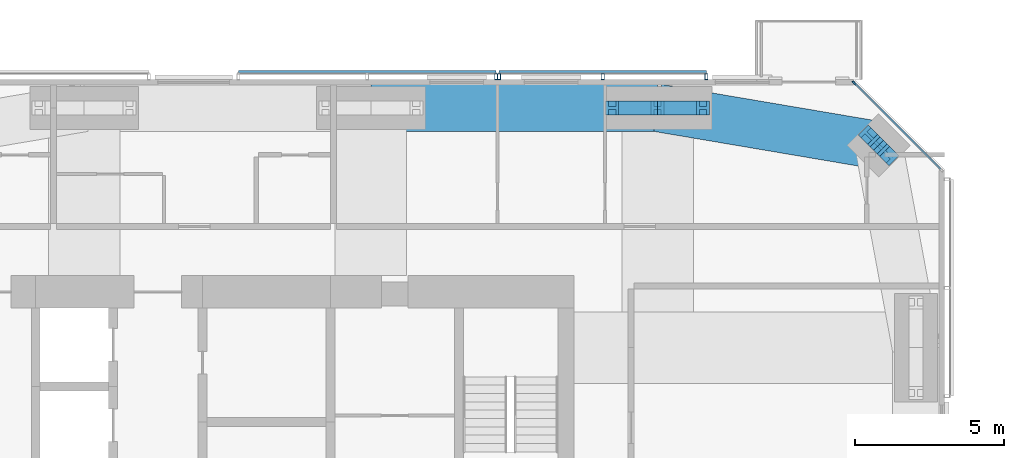
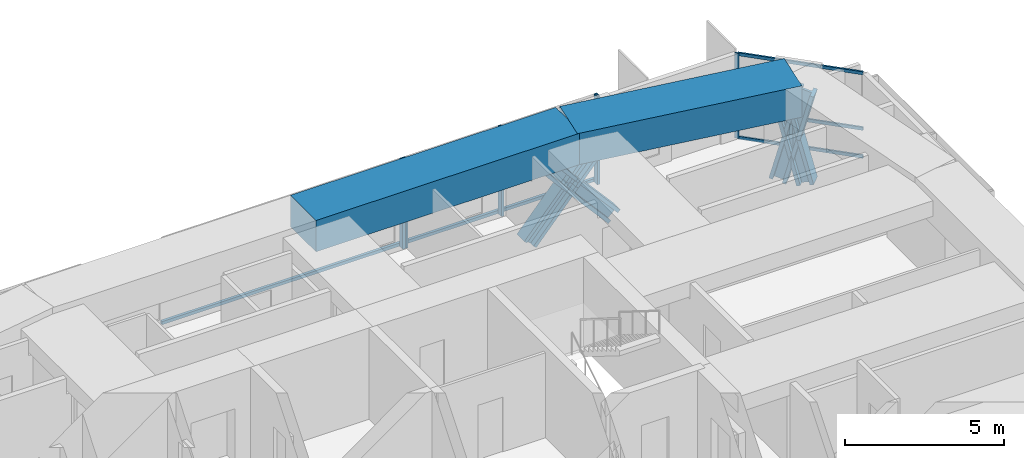
# One storey, part 10 of 18: 18 members, 2 beams, 3 elements without a shape of their own.
"""IFC4 building model written with IfcOpenShell, lengths in metres."""

from ifc_helpers import new_model, si_unit, direction, frame, origin, origin_2d, place, context, subcontext, project, spatial, rectangle, hollow_rectangle, i_section, extrude, material, material_profile, profile_set, type_object, element, aggregate, save


model = new_model("IFC4")

# Units and contexts
model_context = context("Model", 3, precision=1e-05, world=origin(), true_north=direction((0.0, 1.0)))
body_context = subcontext(model_context, "Body", "Model", "MODEL_VIEW")
ifc_project = project(units=[si_unit("LENGTHUNIT", "METRE"), si_unit("AREAUNIT", "SQUARE_METRE"), si_unit("VOLUMEUNIT", "CUBIC_METRE"), si_unit("PLANEANGLEUNIT", "RADIAN"), si_unit("MASSUNIT", "GRAM", prefix="KILO")], contexts=[model_context])

# Site, building, storey
site_placement = place(None, origin())
site = spatial("IfcSite", under=ifc_project, at=site_placement, CompositionType="ELEMENT")
building_placement = place(site_placement, origin())
building = spatial("IfcBuilding", under=site, at=building_placement, Name="Jalousie Tower", CompositionType="ELEMENT")
storey_placement = place(building_placement, frame((0.0, 0.0, 231.949951171875)))
storey = spatial("IfcBuildingStorey", under=building, at=storey_placement, Name="L63", CompositionType="ELEMENT", Elevation=231.949951171875)

# Curtain wall, members
ifc_material_1 = material(Name="Aluminium curtain wall", Category="aluminium")
curtain_wall_type_1 = type_object("IfcCurtainWallType", Name="CORNER WINDOW WALL", PredefinedType="USERDEFINED", material=ifc_material_1)
curtain_wall_1_placement = place(storey_placement, origin())
curtain_wall_1 = element("IfcCurtainWall", 1, at=curtain_wall_1_placement, inside=storey, type_object=curtain_wall_type_1, Name="Corner Window Wall L63 4", ObjectType="CORNER WINDOW WALL", PredefinedType="USERDEFINED")
ifc_material_2 = material(Name="Aluminium mullion", Category="aluminium")
ifc_material_profile_1 = material_profile(ifc_material_2, rectangle(XDim=0.06005859375, YDim=0.14990234375, at=origin_2d()), Name="MULLION 60x150")
ifc_profile_set_1 = profile_set([ifc_material_profile_1], Name="Aluminium mullion")
member_type_1 = type_object("IfcMemberType", Name="CORNER WINDOW WALL MULLION", PredefinedType="MULLION", material=ifc_profile_set_1)
member_1_placement = place(storey_placement, frame((53.469970703125, 33.891357421875, 0.0), z_axis=(0.0, 0.0, 1.0), x_axis=(-0.707106781187, -0.707106781187, 0.0)))
member_1 = element("IfcMember", 2, at=member_1_placement, type_object=member_type_1, Name="CW-C mullion 2", PredefinedType="MULLION", context=body_context, shape_type="SweptSolid", body=[
    extrude(rectangle(XDim=0.06005859375, YDim=0.14990234375, at=origin_2d()), origin(), (0.0, 0.0, 1.0), 3.260009765625),
])
ifc_material_3 = material(Name="Aluminium transom", Category="aluminium")
ifc_material_profile_2 = material_profile(ifc_material_3, rectangle(XDim=0.06005859375, YDim=0.1201171875, at=origin_2d()), Name="TRANSOM 60x120")
ifc_profile_set_2 = profile_set([ifc_material_profile_2], Name="Aluminium transom")
member_type_2 = type_object("IfcMemberType", Name="CORNER WINDOW WALL TRANSOM", PredefinedType="USERDEFINED", material=ifc_profile_set_2)
member_2_placement = place(storey_placement, frame((56.3701171875, 30.9912109375, 0.030029296875), z_axis=(-0.707106781187, 0.707106781187, 0.0), x_axis=(-0.707106781187, -0.707106781187, 0.0)))
member_2 = element("IfcMember", 3, at=member_2_placement, type_object=member_type_2, Name="CW-C transom 1.1", ObjectType="TRANSOM", PredefinedType="USERDEFINED", context=body_context, shape_type="SweptSolid", body=[
    extrude(rectangle(XDim=0.06005859375, YDim=0.1201171875, at=origin_2d()), origin(), (0.0, 0.0, 1.0), 4.0712890625),
])
member_3_placement = place(storey_placement, frame((56.3701171875, 30.9912109375, 1.10009765625), z_axis=(-0.707106781187, 0.707106781187, 0.0), x_axis=(-0.707106781187, -0.707106781187, 0.0)))
member_3 = element("IfcMember", 4, at=member_3_placement, type_object=member_type_2, Name="CW-C transom 1.2", ObjectType="TRANSOM", PredefinedType="USERDEFINED", context=body_context, shape_type="SweptSolid", body=[
    extrude(rectangle(XDim=0.06005859375, YDim=0.1201171875, at=origin_2d()), origin(), (0.0, 0.0, 1.0), 4.0712890625),
])
member_4_placement = place(storey_placement, frame((56.3701171875, 30.9912109375, 3.22998046875), z_axis=(-0.707106781187, 0.707106781187, 0.0), x_axis=(-0.707106781187, -0.707106781187, 0.0)))
member_4 = element("IfcMember", 5, at=member_4_placement, type_object=member_type_2, Name="CW-C transom 1.3", ObjectType="TRANSOM", PredefinedType="USERDEFINED", context=body_context, shape_type="SweptSolid", body=[
    extrude(rectangle(XDim=0.06005859375, YDim=0.1201171875, at=origin_2d()), origin(), (0.0, 0.0, 1.0), 4.0712890625),
])
aggregate(curtain_wall_1, [member_1, member_2, member_3, member_4])

# Members
ifc_material_4 = material(Name="Steel ASTM A992 Grade 50", Category="steel")
ifc_material_profile_3 = material_profile(ifc_material_4, i_section(OverallWidth=0.472412109375, OverallDepth=0.5791015625, WebThickness=0.094970703125, FlangeThickness=0.1298828125, at=origin_2d()), Name="W14X808")
ifc_profile_set_3 = profile_set([ifc_material_profile_3], Name="Steel ASTM A992 Grade 50")
member_type_3 = type_object("IfcMemberType", Name="PERIMETER BRACE W14X808", PredefinedType="BRACE", material=ifc_profile_set_3)
for number, where, z_axis, x_axis, name in (
    (6, (54.611083984375, 31.474609375, -0.599853515625), (-0.176051427143, 0.17618653952, 0.968485517854), (-0.707377963048, -0.706835495285, 0.0), "Perimeter brace 08 L63 part 1"),
    (7, (54.29296875, 31.79296875, 1.150146484375), (-0.17618653952, 0.176051427143, 0.968485517854), (-0.706835495285, -0.707377963048, 0.0), "Perimeter brace 08 L63 part 2"),
    (8, (53.974609375, 32.111083984375, -0.599853515625), (0.17618653952, -0.176051427143, 0.968485517854), (0.706835495285, 0.707377963048, 0.0), "Perimeter brace 08 L63 part 3"),
    (9, (54.29296875, 31.79296875, 1.150146484375), (0.176051427143, -0.17618653952, 0.968485517854), (0.707377963048, 0.706835495285, 0.0), "Perimeter brace 08 L63 part 4"),
):
    element("IfcMember", number, at=place(storey_placement, frame(where, z_axis=z_axis, x_axis=x_axis)), inside=storey, type_object=member_type_3, Name=name, PredefinedType="BRACE", context=body_context, shape_type="SweptSolid", body=[
        extrude(i_section(OverallWidth=0.472412109375, OverallDepth=0.5791015625, WebThickness=0.094970703125, FlangeThickness=0.1298828125, at=origin_2d()), origin(), (0.0, 0.0, 1.0), 1.806884765625),
    ])
for number, where, z_axis, x_axis, name in (
    (10, (45.35009765625, 33.050048828125, -0.599853515625), (0.65695436777, 0.0, 0.753930340726), (0.0, 1.0, 0.0), "Perimeter brace 09 L63 part 1"),
    (11, (46.875, 33.050048828125, 1.150146484375), (0.65695436777, 0.0, 0.753930340726), (0.0, 1.0, 0.0), "Perimeter brace 09 L63 part 2"),
    (12, (48.39990234375, 33.050048828125, -0.599853515625), (-0.65695436777, 0.0, 0.753930340726), (0.0, -1.0, 0.0), "Perimeter brace 09 L63 part 3"),
    (13, (46.875, 33.050048828125, 1.150146484375), (-0.65695436777, 0.0, 0.753930340726), (0.0, -1.0, 0.0), "Perimeter brace 09 L63 part 4"),
):
    element("IfcMember", number, at=place(storey_placement, frame(where, z_axis=z_axis, x_axis=x_axis)), inside=storey, type_object=member_type_3, Name=name, PredefinedType="BRACE", context=body_context, shape_type="SweptSolid", body=[
        extrude(i_section(OverallWidth=0.472412109375, OverallDepth=0.5791015625, WebThickness=0.094970703125, FlangeThickness=0.1298828125, at=origin_2d()), origin(), (0.0, 0.0, 1.0), 2.3212890625),
    ])

# Beams
ifc_material_5 = material(Name="Concrete f'c 40 MPa", Category="concrete")
ifc_material_profile_4 = material_profile(ifc_material_5, rectangle(XDim=1.60009765625, YDim=1.199951171875, at=origin_2d()), Name="RC 1600x1200")
ifc_profile_set_4 = profile_set([ifc_material_profile_4], Name="Concrete f'c 40 MPa")
beam_type = type_object("IfcBeamType", Name="RC BEAM 1600x1200", PredefinedType="BEAM", material=ifc_profile_set_4)
beam_1_placement = place(storey_placement, frame((54.29296875, 31.79296875, 2.900146484375), z_axis=(-0.985942997446, 0.167082033105, 0.0), x_axis=(-0.167082033105, -0.985942997446, 0.0)))
element("IfcBeam", 14, at=beam_1_placement, inside=storey, type_object=beam_type, Name="Edge band beam 08-09 under L64", PredefinedType="BEAM", context=body_context, shape_type="SweptSolid", body=[
    extrude(rectangle(XDim=1.60009765625, YDim=1.199951171875, at=origin_2d()), origin(), (0.0, 0.0, 1.0), 7.523681640625),
])
beam_2_placement = place(storey_placement, frame((46.875, 33.050048828125, 2.900146484375), z_axis=(-1.0, 0.0, 0.0), x_axis=(0.0, -1.0, 0.0)))
element("IfcBeam", 15, at=beam_2_placement, inside=storey, type_object=beam_type, Name="Edge band beam 09-10 under L64", PredefinedType="BEAM", context=body_context, shape_type="SweptSolid", body=[
    extrude(rectangle(XDim=1.60009765625, YDim=1.199951171875, at=origin_2d()), origin(), (0.0, 0.0, 1.0), 9.625),
])

# Curtain wall, members
ifc_material_6 = material(Name="Perforated aluminium sheet", Category="aluminium")
curtain_wall_type_2 = type_object("IfcCurtainWallType", Name="SOLAR SCREEN SS-2", PredefinedType="USERDEFINED", material=ifc_material_6)
curtain_wall_2_placement = place(storey_placement, origin())
curtain_wall_2 = element("IfcCurtainWall", 16, at=curtain_wall_2_placement, inside=storey, type_object=curtain_wall_type_2, Name="Solar screen L63", ObjectType="SOLAR SCREEN SS-2", PredefinedType="USERDEFINED")
ifc_material_7 = material(Name="Steel ASTM A500 Grade C", Category="steel")
ifc_material_profile_5 = material_profile(ifc_material_7, hollow_rectangle(XDim=0.1015625, YDim=0.203125, WallThickness=0.0078125, at=origin_2d()), Name="HSS8X4X5/16")
ifc_profile_set_5 = profile_set([ifc_material_profile_5], Name="Steel ASTM A500 Grade C")
member_type_4 = type_object("IfcMemberType", Name="SOLAR SCREEN SS-2 MULLION", PredefinedType="MULLION", material=ifc_profile_set_5)
member_5_placement = place(storey_placement, frame((48.513427734375, 34.0966796875, -0.119873046875), z_axis=(0.0, 0.0, 1.0), x_axis=(-1.0, 0.0, 0.0)))
member_5 = element("IfcMember", 17, at=member_5_placement, type_object=member_type_4, Name="SS2 post 1", PredefinedType="MULLION", context=body_context, shape_type="SweptSolid", body=[
    extrude(hollow_rectangle(XDim=0.1015625, YDim=0.203125, WallThickness=0.0078125, at=origin_2d()), origin(), (0.0, 0.0, 1.0), 3.3798828125),
])
member_6_placement = place(storey_placement, frame((45.03173828125, 34.0966796875, -0.119873046875), z_axis=(0.0, 0.0, 1.0), x_axis=(-1.0, 0.0, 0.0)))
member_6 = element("IfcMember", 18, at=member_6_placement, type_object=member_type_4, Name="SS2 post 2", PredefinedType="MULLION", context=body_context, shape_type="SweptSolid", body=[
    extrude(hollow_rectangle(XDim=0.1015625, YDim=0.203125, WallThickness=0.0078125, at=origin_2d()), origin(), (0.0, 0.0, 1.0), 3.3798828125),
])
member_7_placement = place(storey_placement, frame((41.550048828125, 34.0966796875, -0.119873046875), z_axis=(0.0, 0.0, 1.0), x_axis=(-1.0, 0.0, 0.0)))
member_7 = element("IfcMember", 19, at=member_7_placement, type_object=member_type_4, Name="SS2 post 3", PredefinedType="MULLION", context=body_context, shape_type="SweptSolid", body=[
    extrude(hollow_rectangle(XDim=0.1015625, YDim=0.203125, WallThickness=0.0078125, at=origin_2d()), origin(), (0.0, 0.0, 1.0), 3.3798828125),
])

# Curtain wall, member
curtain_wall_3_placement = place(storey_placement, origin())
curtain_wall_3 = element("IfcCurtainWall", 20, at=curtain_wall_3_placement, inside=storey, type_object=curtain_wall_type_2, Name="Solar screen L63", ObjectType="SOLAR SCREEN SS-2", PredefinedType="USERDEFINED")
member_8_placement = place(storey_placement, frame((41.449951171875, 34.0966796875, -0.119873046875), z_axis=(0.0, 0.0, 1.0), x_axis=(-1.0, 0.0, 0.0)))
member_8 = element("IfcMember", 21, at=member_8_placement, type_object=member_type_4, Name="SS2 post 1", PredefinedType="MULLION", context=body_context, shape_type="SweptSolid", body=[
    extrude(hollow_rectangle(XDim=0.1015625, YDim=0.203125, WallThickness=0.0078125, at=origin_2d()), origin(), (0.0, 0.0, 1.0), 3.3798828125),
])

# Member
ifc_material_8 = material(Name="Extruded aluminium screen rail", Category="aluminium")
ifc_material_profile_6 = material_profile(ifc_material_8, rectangle(XDim=0.1015625, YDim=0.1201171875, at=origin_2d()), Name="RAIL 102x120")
ifc_profile_set_6 = profile_set([ifc_material_profile_6], Name="Extruded aluminium screen rail")
member_type_5 = type_object("IfcMemberType", Name="SOLAR SCREEN SS-2 TRANSOM", PredefinedType="USERDEFINED", material=ifc_profile_set_6)
member_9_placement = place(storey_placement, frame((48.513427734375, 34.2490234375, -0.06005859375), z_axis=(-1.0, 0.0, 0.0), x_axis=(0.0, -1.0, 0.0)))
member_9 = element("IfcMember", 22, at=member_9_placement, type_object=member_type_5, Name="SS2 rail", ObjectType="TRANSOM", PredefinedType="USERDEFINED", context=body_context, shape_type="SweptSolid", body=[
    extrude(rectangle(XDim=0.1015625, YDim=0.1201171875, at=origin_2d()), origin(), (0.0, 0.0, 1.0), 6.96337890625),
])

aggregate(curtain_wall_2, [member_5, member_6, member_7, member_9])

member_10_placement = place(storey_placement, frame((41.449951171875, 34.2490234375, -0.06005859375), z_axis=(-1.0, 0.0, 0.0), x_axis=(0.0, -1.0, 0.0)))
member_10 = element("IfcMember", 23, at=member_10_placement, type_object=member_type_5, Name="SS2 rail", ObjectType="TRANSOM", PredefinedType="USERDEFINED", context=body_context, shape_type="SweptSolid", body=[
    extrude(rectangle(XDim=0.1015625, YDim=0.1201171875, at=origin_2d()), origin(), (0.0, 0.0, 1.0), 8.64990234375),
])

aggregate(curtain_wall_3, [member_8, member_10])

save(model, "model.ifc")
